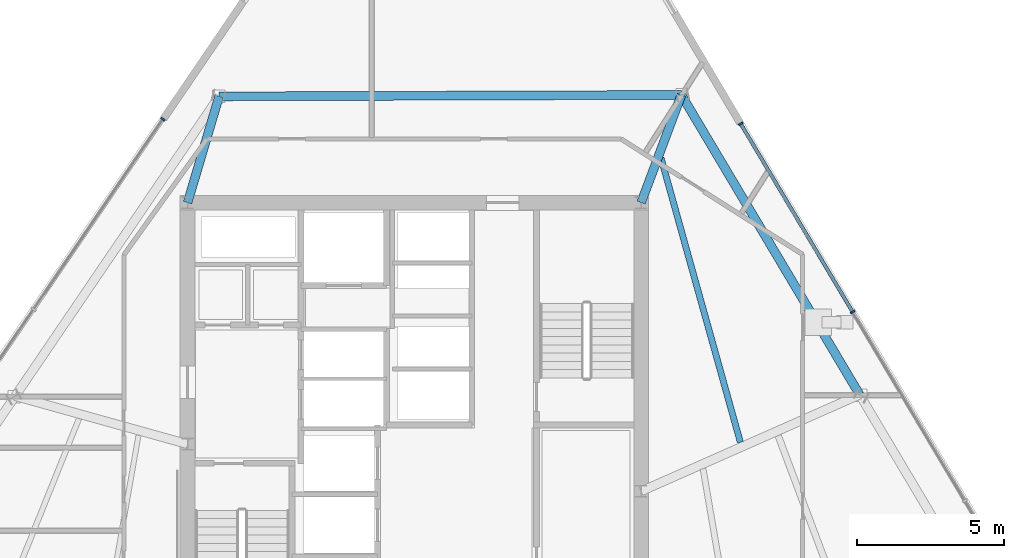
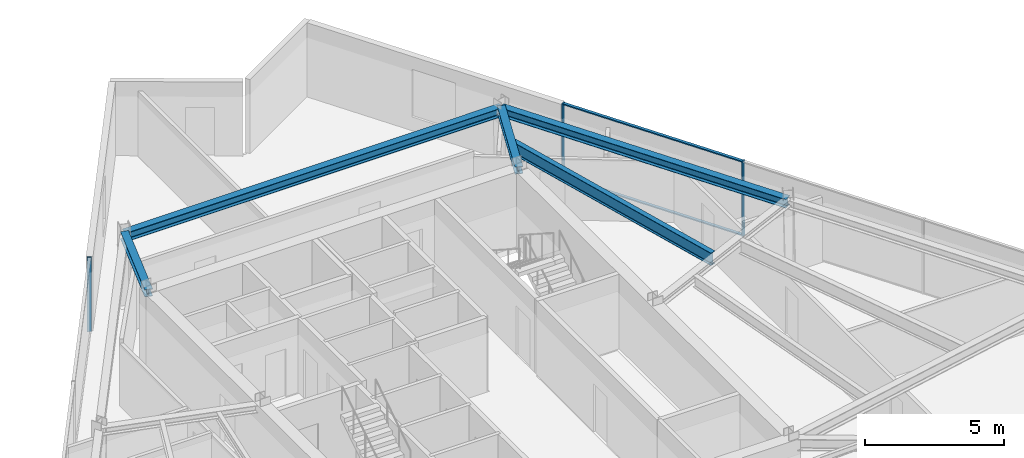
# One storey, part 6 of 14: 5 beams, 5 members, 2 elements without a shape of their own.
"""IFC4 building model written with IfcOpenShell, lengths in metres."""

from ifc_helpers import new_model, si_unit, direction, frame, origin, origin_2d, place, context, subcontext, project, spatial, rectangle, i_section, extrude, material, material_profile, profile_set, type_object, element, aggregate, save


model = new_model("IFC4")

# Units and contexts
model_context = context("Model", 3, precision=1e-05, world=origin(), true_north=direction((0.0, 1.0)))
body_context = subcontext(model_context, "Body", "Model", "MODEL_VIEW")
ifc_project = project(units=[si_unit("LENGTHUNIT", "METRE"), si_unit("AREAUNIT", "SQUARE_METRE"), si_unit("VOLUMEUNIT", "CUBIC_METRE"), si_unit("PLANEANGLEUNIT", "RADIAN"), si_unit("MASSUNIT", "GRAM", prefix="KILO")], contexts=[model_context])

# Site, building, storey
site_placement = place(None, origin())
site = spatial("IfcSite", under=ifc_project, at=site_placement, CompositionType="ELEMENT")
building_placement = place(site_placement, origin())
building = spatial("IfcBuilding", under=site, at=building_placement, Name="Savorim Split Tower", CompositionType="ELEMENT")
storey_placement = place(building_placement, frame((0.0, 0.0, 181.800048828125)))
storey = spatial("IfcBuildingStorey", under=building, at=storey_placement, Name="L48", CompositionType="ELEMENT", Elevation=181.800048828125)

# Beams
ifc_material_1 = material(Name="Steel S355", Category="steel")
ifc_material_profile_1 = material_profile(ifc_material_1, i_section(OverallWidth=0.2099609375, OverallDepth=0.550048828125, WebThickness=0.010986328125, FlangeThickness=0.01708984375, FilletRadius=0.02392578125, at=origin_2d()), Name="IPE 550")
ifc_profile_set_1 = profile_set([ifc_material_profile_1], Name="Steel S355")
beam_type_1 = type_object("IfcBeamType", Name="BM-JST-IPE550", PredefinedType="JOIST", material=ifc_profile_set_1)
beam_1_placement = place(storey_placement, frame((11.070068359375, 2.062744140625, 3.0048828125), z_axis=(-0.268848311426, 0.96318252966, 0.0), x_axis=(-0.96318252966, -0.268848311426, 0.0)))
element("IfcBeam", 1, at=beam_1_placement, inside=storey, type_object=beam_type_1, Name="L48 Secondary Floor Joist JS-07", PredefinedType="JOIST", context=body_context, shape_type="SweptSolid", body=[
    extrude(i_section(OverallWidth=0.2099609375, OverallDepth=0.550048828125, WebThickness=0.010986328125, FlangeThickness=0.01708984375, FilletRadius=0.02392578125, at=origin_2d()), origin(), (0.0, 0.0, 1.0), 10.034423828125),
])
ifc_material_profile_2 = material_profile(ifc_material_1, i_section(OverallWidth=0.300048828125, OverallDepth=0.320068359375, WebThickness=0.011474609375, FlangeThickness=0.0205078125, FilletRadius=0.027099609375, at=origin_2d()), Name="HEB 320")
ifc_profile_set_2 = profile_set([ifc_material_profile_2], Name="Steel S355")
beam_type_2 = type_object("IfcBeamType", Name="BM-PRI-HEB320", PredefinedType="BEAM", material=ifc_profile_set_2)
beam_2_placement = place(storey_placement, frame((9.068115234375, 13.856689453125, 3.119873046875), z_axis=(-0.350424365814, -0.936591033399, 0.0), x_axis=(0.936591033399, -0.350424365814, 0.0)))
element("IfcBeam", 2, at=beam_2_placement, inside=storey, type_object=beam_type_2, Name="L48 Primary Floor Girder RG-07", PredefinedType="BEAM", context=body_context, shape_type="SweptSolid", body=[
    extrude(i_section(OverallWidth=0.300048828125, OverallDepth=0.320068359375, WebThickness=0.011474609375, FlangeThickness=0.0205078125, FilletRadius=0.027099609375, at=origin_2d()), origin(), (0.0, 0.0, 1.0), 3.904296875),
])
beam_3_placement = place(storey_placement, frame((-6.62939453125, 13.807861328125, 3.119873046875), z_axis=(-0.284466008069, -0.958686127079, 0.0), x_axis=(0.958686127079, -0.284466008069, 0.0)))
element("IfcBeam", 3, at=beam_3_placement, inside=storey, type_object=beam_type_2, Name="L48 Primary Floor Girder RG-08", PredefinedType="BEAM", context=body_context, shape_type="SweptSolid", body=[
    extrude(i_section(OverallWidth=0.300048828125, OverallDepth=0.320068359375, WebThickness=0.011474609375, FlangeThickness=0.0205078125, FilletRadius=0.027099609375, at=origin_2d()), origin(), (0.0, 0.0, 1.0), 3.763427734375),
])
ifc_material_profile_3 = material_profile(ifc_material_1, i_section(OverallWidth=0.300048828125, OverallDepth=0.389892578125, WebThickness=0.010986328125, FlangeThickness=0.01904296875, FilletRadius=0.027099609375, at=origin_2d()), Name="HEA 400")
ifc_profile_set_3 = profile_set([ifc_material_profile_3], Name="Steel S355")
beam_type_3 = type_object("IfcBeamType", Name="BM-SPN-HEA400", PredefinedType="SPANDREL", material=ifc_profile_set_3)
beam_4_placement = place(storey_placement, frame((15.11962890625, 3.6796875, 3.0849609375), z_axis=(-0.511095567132, 0.859523892197, 0.0), x_axis=(-0.859523892197, -0.511095567132, 0.0)))
element("IfcBeam", 4, at=beam_4_placement, inside=storey, type_object=beam_type_3, Name="L48 Perimeter Spandrel Beam 6", PredefinedType="SPANDREL", context=body_context, shape_type="SweptSolid", body=[
    extrude(i_section(OverallWidth=0.300048828125, OverallDepth=0.389892578125, WebThickness=0.010986328125, FlangeThickness=0.01904296875, FilletRadius=0.027099609375, at=origin_2d()), origin(), (0.0, 0.0, 1.0), 11.84033203125),
])
beam_5_placement = place(storey_placement, frame((9.068115234375, 13.856689453125, 3.0849609375), z_axis=(-0.999995162228, -0.003110549986, 0.0), x_axis=(0.003110549986, -0.999995162228, 0.0)))
element("IfcBeam", 5, at=beam_5_placement, inside=storey, type_object=beam_type_3, Name="L48 Perimeter Spandrel Beam 7", PredefinedType="SPANDREL", context=body_context, shape_type="SweptSolid", body=[
    extrude(i_section(OverallWidth=0.300048828125, OverallDepth=0.389892578125, WebThickness=0.010986328125, FlangeThickness=0.01904296875, FilletRadius=0.027099609375, at=origin_2d()), origin(), (0.0, 0.0, 1.0), 15.697509765625),
])

# Curtain wall, members
ifc_material_2 = material(Name="Dark Ceramic-Fritted Insulated Glass", Category="glass")
curtain_wall_type = type_object("IfcCurtainWallType", Name="CW-TWR-FRIT-B", PredefinedType="NOTDEFINED", material=ifc_material_2)
curtain_wall_1_placement = place(storey_placement, origin())
curtain_wall_1 = element("IfcCurtainWall", 6, at=curtain_wall_1_placement, inside=storey, type_object=curtain_wall_type, Name="L48 Curtain Wall CW-L48-EAST", PredefinedType="NOTDEFINED")
ifc_material_3 = material(Name="Charcoal Anodised Aluminium", Category="aluminium")
ifc_material_profile_4 = material_profile(ifc_material_3, rectangle(XDim=0.159912109375, YDim=0.06005859375, at=origin_2d()), Name="ALU-M 160x60")
ifc_profile_set_4 = profile_set([ifc_material_profile_4], Name="Charcoal Anodised Aluminium")
member_type_1 = type_object("IfcMemberType", Name="CWM-160x60", PredefinedType="MULLION", material=ifc_profile_set_4)
member_1_placement = place(storey_placement, frame((14.8818359375, 6.48779296875, 0.0), z_axis=(0.0, 0.0, 1.0), x_axis=(-0.85952495128, -0.511093786039, 0.0)))
member_1 = element("IfcMember", 7, at=member_1_placement, type_object=member_type_1, Name="CW-03 mullion 4", PredefinedType="MULLION", context=body_context, shape_type="SweptSolid", body=[
    extrude(rectangle(XDim=0.159912109375, YDim=0.06005859375, at=origin_2d()), origin(), (0.0, 0.0, 1.0), 3.280029296875),
])
member_2_placement = place(storey_placement, frame((11.08251953125, 12.877197265625, 0.0), z_axis=(0.0, 0.0, 1.0), x_axis=(-0.85952495128, -0.511093786039, 0.0)))
member_2 = element("IfcMember", 8, at=member_2_placement, type_object=member_type_1, Name="CW-03 mullion 5", PredefinedType="MULLION", context=body_context, shape_type="SweptSolid", body=[
    extrude(rectangle(XDim=0.159912109375, YDim=0.06005859375, at=origin_2d()), origin(), (0.0, 0.0, 1.0), 3.280029296875),
])

# Curtain wall, member
curtain_wall_2_placement = place(storey_placement, origin())
curtain_wall_2 = element("IfcCurtainWall", 9, at=curtain_wall_2_placement, inside=storey, type_object=curtain_wall_type, Name="L48 Curtain Wall CW-L48-WEST", PredefinedType="NOTDEFINED")
member_3_placement = place(storey_placement, frame((-8.533935546875, 13.028564453125, 0.0), z_axis=(0.0, 0.0, 1.0), x_axis=(0.826819248854, -0.562467714384, 0.0)))
member_3 = element("IfcMember", 10, at=member_3_placement, type_object=member_type_1, Name="CW-03 mullion 1", PredefinedType="MULLION", context=body_context, shape_type="SweptSolid", body=[
    extrude(rectangle(XDim=0.159912109375, YDim=0.06005859375, at=origin_2d()), origin(), (0.0, 0.0, 1.0), 3.280029296875),
])
aggregate(curtain_wall_2, [member_3])

# Member
ifc_material_profile_5 = material_profile(ifc_material_3, rectangle(XDim=0.1201171875, YDim=0.050048828125, at=origin_2d()), Name="ALU-T 120x50")
ifc_profile_set_5 = profile_set([ifc_material_profile_5], Name="Charcoal Anodised Aluminium")
member_type_2 = type_object("IfcMemberType", Name="CWT-120x50", PredefinedType="USERDEFINED", material=ifc_profile_set_5)
member_4_placement = place(storey_placement, frame((14.866455078125, 6.513671875, 0.02490234375), z_axis=(-0.511097871575, 0.859522521911, 0.0), x_axis=(-0.859522521911, -0.511097871575, 0.0)))
member_4 = element("IfcMember", 11, at=member_4_placement, type_object=member_type_2, Name="CW-03 transom 4.1", ObjectType="TRANSOM", PredefinedType="USERDEFINED", context=body_context, shape_type="SweptSolid", body=[
    extrude(rectangle(XDim=0.1201171875, YDim=0.050048828125, at=origin_2d()), origin(), (0.0, 0.0, 1.0), 7.37353515625),
])

member_5_placement = place(storey_placement, frame((14.866455078125, 6.513671875, 3.2548828125), z_axis=(-0.511097871575, 0.859522521911, 0.0), x_axis=(-0.859522521911, -0.511097871575, 0.0)))
member_5 = element("IfcMember", 12, at=member_5_placement, type_object=member_type_2, Name="CW-03 transom 4.2", ObjectType="TRANSOM", PredefinedType="USERDEFINED", context=body_context, shape_type="SweptSolid", body=[
    extrude(rectangle(XDim=0.1201171875, YDim=0.050048828125, at=origin_2d()), origin(), (0.0, 0.0, 1.0), 7.37353515625),
])

aggregate(curtain_wall_1, [member_1, member_2, member_4, member_5])

save(model, "model.ifc")
